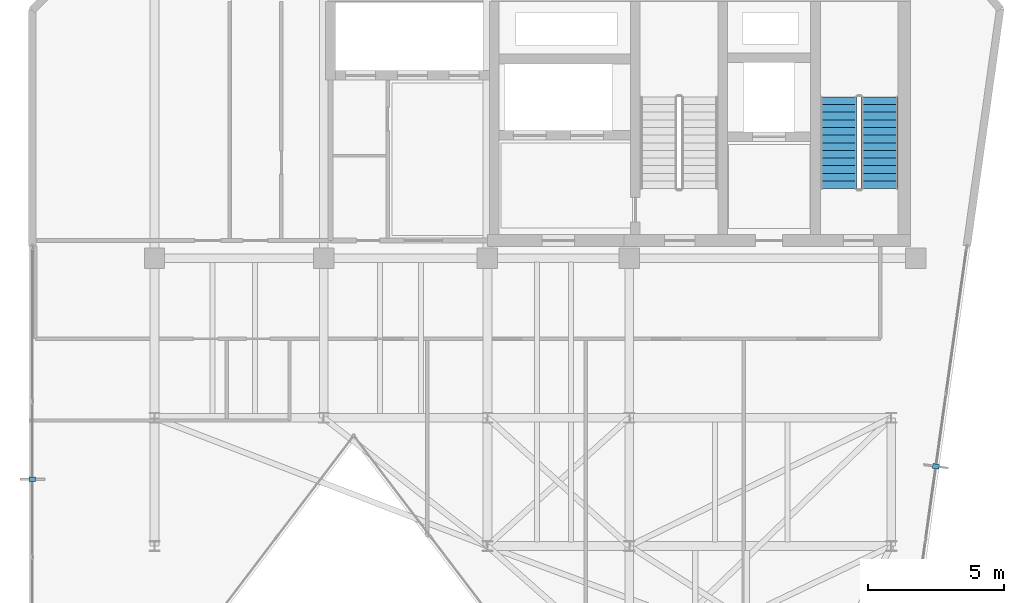
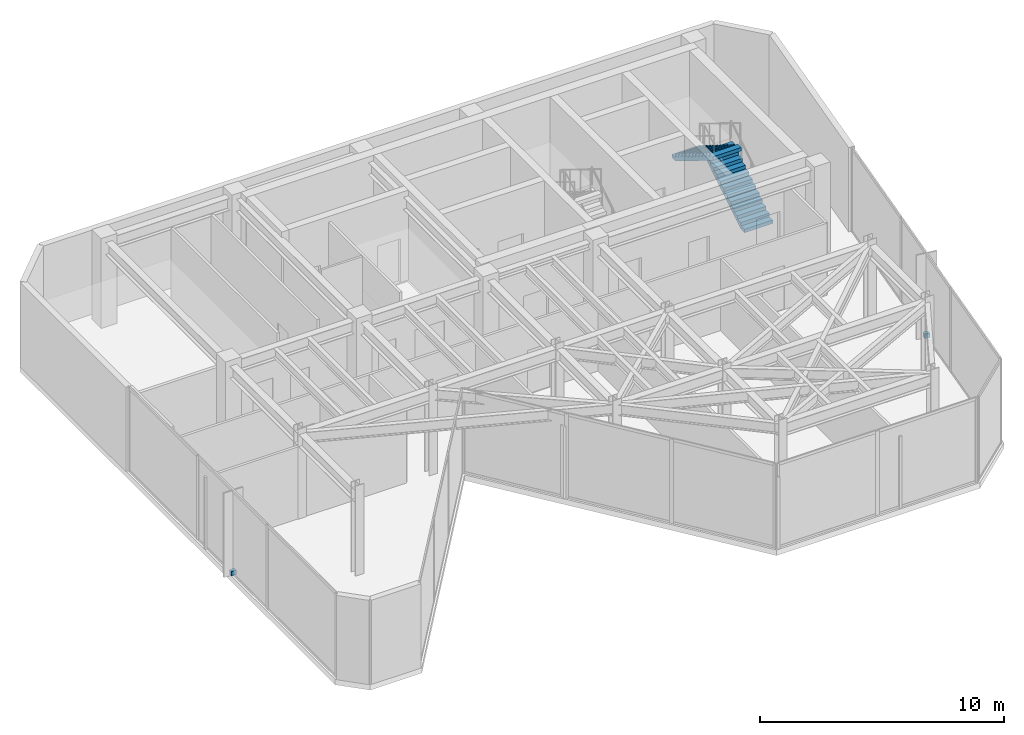
# One storey, part 15 of 17: 2 discrete accessories, 2 stair flights, 1 element without a shape of its own.
"""IFC4 building model written with IfcOpenShell, lengths in metres."""

from ifc_helpers import new_model, si_unit, direction, frame, origin, origin_2d, place, context, subcontext, project, spatial, polyline, rectangle, outline, extrude, material, layer, layer_set, type_object, element, aggregate, save


model = new_model("IFC4")

# Units and contexts
model_context = context("Model", 3, precision=1e-05, world=origin(), true_north=direction((0.0, 1.0)))
body_context = subcontext(model_context, "Body", "Model", "MODEL_VIEW")
ifc_project = project(units=[si_unit("LENGTHUNIT", "METRE"), si_unit("AREAUNIT", "SQUARE_METRE"), si_unit("VOLUMEUNIT", "CUBIC_METRE"), si_unit("PLANEANGLEUNIT", "RADIAN"), si_unit("MASSUNIT", "GRAM", prefix="KILO")], contexts=[model_context])

# Site, building, storey
site_placement = place(None, origin())
site = spatial("IfcSite", under=ifc_project, at=site_placement, CompositionType="ELEMENT")
building_placement = place(site_placement, origin())
building = spatial("IfcBuilding", under=site, at=building_placement, Name="Kravanh Interchange Tower", CompositionType="ELEMENT")
storey_placement = place(building_placement, frame((0.0, 0.0, 311.10009765625)))
storey = spatial("IfcBuildingStorey", under=building, at=storey_placement, Name="L77", CompositionType="ELEMENT", Elevation=311.10009765625)

# Stair, stair flights
ifc_material_1 = material(Name="Concrete C50/60", Category="concrete")
stair_type = type_object("IfcStairType", Name="Core Fire Exit Dogleg Stair Concrete C50/60", PredefinedType="HALF_TURN_STAIR", material=ifc_material_1)
stair_placement = place(storey_placement, origin())
stair = element("IfcStair", 1, at=stair_placement, inside=storey, type_object=stair_type, Name="L77 Exit Stair ST1", PredefinedType="HALF_TURN_STAIR")
ifc_material_2 = material(Name="Precast Concrete C50/60", Category="concrete")
ifc_layer = layer(ifc_material_2, 0.199951171875)
ifc_layer_set = layer_set([ifc_layer], Name="Precast Concrete C50/60 Stair Flight 1350mm")
stair_flight_type = type_object("IfcStairFlightType", Name="Precast Concrete C50/60 Stair Flight 1350mm", PredefinedType="STRAIGHT", material=ifc_layer_set)
stair_flight_1_placement = place(storey_placement, frame((65.175048828125, 39.89990234375, 0.0), z_axis=(0.0, 0.0, 1.0), x_axis=(0.0, 1.0, 0.0)))
stair_flight_1 = element("IfcStairFlight", 2, at=stair_flight_1_placement, type_object=stair_flight_type, Name="ST1 flight 1", NumberOfRisers=13, NumberOfTreads=12, PredefinedType="STRAIGHT", RiserHeight=0.173076923, TreadLength=0.28, context=body_context, shape_type="SweptSolid", body=[
    extrude(outline(polyline([(0.0, 0.0), (0.0, 0.173095703125), (0.280029296875, 0.173095703125), (0.280029296875, 0.34619140625), (0.56005859375, 0.34619140625), (0.56005859375, 0.519287109375), (0.840087890625, 0.519287109375), (0.840087890625, 0.6923828125), (1.1201171875, 0.6923828125), (1.1201171875, 0.865478515625), (1.39990234375, 0.865478515625), (1.39990234375, 1.03857421875), (1.679931640625, 1.03857421875), (1.679931640625, 1.21142578125), (1.9599609375, 1.21142578125), (1.9599609375, 1.384521484375), (2.239990234375, 1.384521484375), (2.239990234375, 1.5576171875), (2.52001953125, 1.5576171875), (2.52001953125, 1.730712890625), (2.800048828125, 1.730712890625), (2.800048828125, 1.90380859375), (3.080078125, 1.90380859375), (3.080078125, 2.076904296875), (3.360107421875, 2.076904296875), (3.360107421875, 2.25), (3.360107421875, 1.900634765625), (0.28515625, 0.0), (0.0, 0.0)])), frame((0.0, 0.675048828125, 0.0), z_axis=(0.0, -1.0, 0.0), x_axis=(1.0, 0.0, 0.0)), (0.0, 0.0, 1.0), 1.35009765625),
])
stair_flight_2_placement = place(storey_placement, frame((63.675048828125, 43.260009765625, 2.25), z_axis=(0.0, 0.0, 1.0), x_axis=(0.0, -1.0, 0.0)))
stair_flight_2 = element("IfcStairFlight", 3, at=stair_flight_2_placement, type_object=stair_flight_type, Name="ST1 flight 2", NumberOfRisers=13, NumberOfTreads=12, PredefinedType="STRAIGHT", RiserHeight=0.173076923, TreadLength=0.28, context=body_context, shape_type="SweptSolid", body=[
    extrude(outline(polyline([(0.0, 0.0), (0.0, 0.173095703125), (0.280029296875, 0.173095703125), (0.280029296875, 0.34619140625), (0.56005859375, 0.34619140625), (0.56005859375, 0.519287109375), (0.840087890625, 0.519287109375), (0.840087890625, 0.6923828125), (1.1201171875, 0.6923828125), (1.1201171875, 0.865478515625), (1.39990234375, 0.865478515625), (1.39990234375, 1.03857421875), (1.679931640625, 1.03857421875), (1.679931640625, 1.21142578125), (1.9599609375, 1.21142578125), (1.9599609375, 1.384521484375), (2.239990234375, 1.384521484375), (2.239990234375, 1.5576171875), (2.52001953125, 1.5576171875), (2.52001953125, 1.730712890625), (2.800048828125, 1.730712890625), (2.800048828125, 1.90380859375), (3.080078125, 1.90380859375), (3.080078125, 2.076904296875), (3.360107421875, 2.076904296875), (3.360107421875, 2.25), (3.360107421875, 1.900634765625), (0.28515625, 0.0), (0.0, 0.0)])), frame((0.0, 0.675048828125, 0.0), z_axis=(0.0, -1.0, 0.0), x_axis=(1.0, 0.0, 0.0)), (0.0, 0.0, 1.0), 1.35009765625),
])
aggregate(stair, [stair_flight_1, stair_flight_2])

# Discrete accessories
ifc_material_3 = material(Name="Stainless Steel 316", Category="steel")
discrete_accessory_type = type_object("IfcDiscreteAccessoryType", Name="Solar Fin Curtain-Wall Mounting Bracket Stainless 316", PredefinedType="BRACKET", material=ifc_material_3)
for number, where, z_axis, x_axis, name in (
    (4, (34.1201171875, 29.25, 0.0), (0.0, 0.0, 1.0), (-1.0, 0.0, 0.0), "L77 Solar Fin Mounting Bracket 1"),
    (5, (67.239501953125, 29.720703125, 0.0), (0.0, 0.0, 1.0), (0.990267783496, -0.139175130571, 0.0), "L77 Solar Fin Mounting Bracket 2"),
):
    element("IfcDiscreteAccessory", number, at=place(storey_placement, frame(where, z_axis=z_axis, x_axis=x_axis)), inside=storey, type_object=discrete_accessory_type, Name=name, PredefinedType="BRACKET", context=body_context, shape_type="SweptSolid", body=[
        extrude(rectangle(XDim=0.239990234375, YDim=0.179931640625, at=origin_2d()), origin(), (0.0, 0.0, 1.0), 0.219970703125),
    ])

save(model, "model.ifc")
